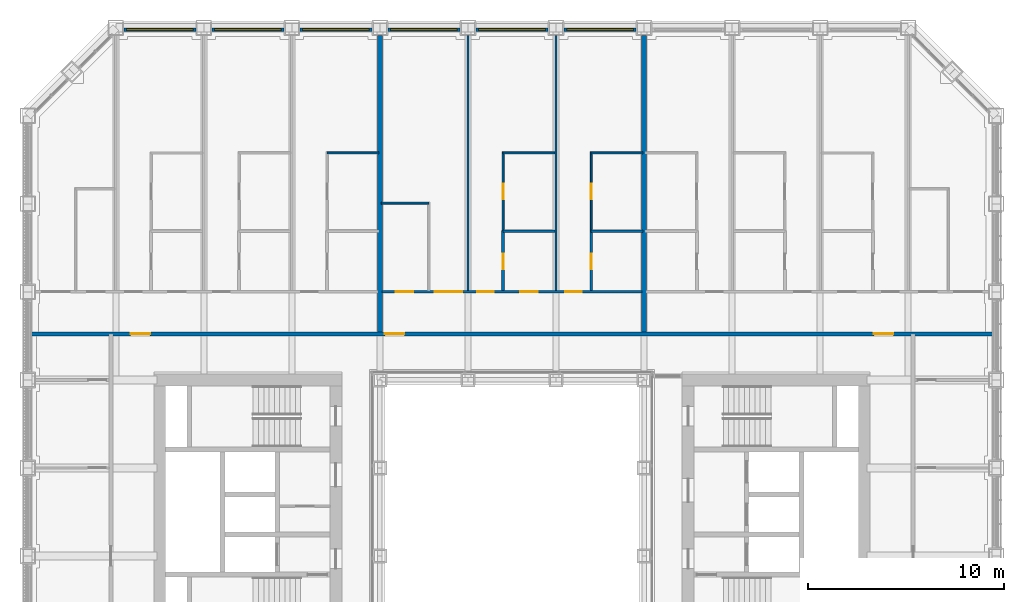
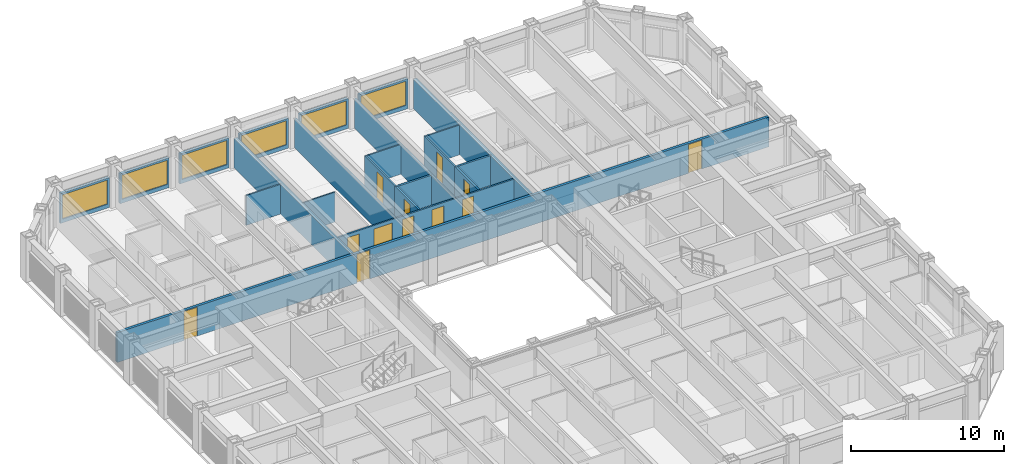
# One storey, part 14 of 21: 22 walls, 12 doors, 6 windows, 18 openings.
"""IFC4 building model written with IfcOpenShell, lengths in metres."""

from ifc_helpers import new_model, si_unit, direction, frame, frame_2d, origin, place, context, subcontext, project, spatial, rectangle, extrude, material, layer, layer_set, type_object, element, fill, save


model = new_model("IFC4")

# Units and contexts
model_context = context("Model", 3, precision=1e-05, world=origin(), true_north=direction((0.0, 1.0)))
body_context = subcontext(model_context, "Body", "Model", "MODEL_VIEW")
ifc_project = project(units=[si_unit("LENGTHUNIT", "METRE"), si_unit("AREAUNIT", "SQUARE_METRE"), si_unit("VOLUMEUNIT", "CUBIC_METRE"), si_unit("PLANEANGLEUNIT", "RADIAN"), si_unit("MASSUNIT", "GRAM", prefix="KILO")], contexts=[model_context])

# Site, building, storey
site_placement = place(None, origin())
site = spatial("IfcSite", under=ifc_project, at=site_placement, CompositionType="ELEMENT")
building_placement = place(site_placement, origin())
building = spatial("IfcBuilding", under=site, at=building_placement, Name="Msasa Ring Tower", CompositionType="ELEMENT")
storey_placement = place(building_placement, frame((0.0, 0.0, 68.5)))
storey = spatial("IfcBuildingStorey", under=building, at=storey_placement, Name="L17", CompositionType="ELEMENT", Elevation=68.5)

# Wall, opening, window
ifc_material_1 = material(Name="Terracotta rainscreen on blockwork", Category="masonry")
ifc_layer_1 = layer(ifc_material_1, 0.199951171875)
ifc_layer_set_1 = layer_set([ifc_layer_1], Name="FW1 TERRACOTTA-LINED INFILL BAY WALL 200")
wall_type_1 = type_object("IfcWallType", Name="FW1 TERRACOTTA-LINED INFILL BAY WALL 200", PredefinedType="SOLIDWALL", material=ifc_layer_set_1)
wall_1_placement = place(storey_placement, frame((-19.844970703125, 24.64990234375, 0.0), z_axis=(0.0, 0.0, 1.0), x_axis=(1.0, 0.0, 0.0)))
wall_1 = element("IfcWall", 1, at=wall_1_placement, inside=storey, type_object=wall_type_1, Name="Infill bay wall N L17 22", PredefinedType="SOLIDWALL", context=body_context, shape_type="SweptSolid", body=[
    extrude(rectangle(XDim=3.68994140625, YDim=0.199951171875, at=frame_2d((1.844970703125, 0.0))), origin(), (0.0, 0.0, 1.0), 2.37890625),
])
opening_1_placement = place(wall_1_placement, frame((0.14501953125, 0.0, 0.300048828125)))
opening_1 = element("IfcOpeningElement", 2, at=opening_1_placement, cuts=wall_1, Name="Opening WN1", PredefinedType="OPENING", context=body_context, shape_type="SweptSolid", body=[
    extrude(rectangle(XDim=3.39990234375, YDim=1.928955078125, at=frame_2d((1.699951171875, 0.96435546875))), frame((0.0, 0.10986328125, 0.0), z_axis=(0.0, -1.0, 0.0), x_axis=(1.0, 0.0, 0.0)), (0.0, 0.0, 1.0), 0.219970703125),
])
ifc_material_2 = material(Name="Aluminium frame with clear glass", Category="aluminium")
window_type = type_object("IfcWindowType", Name="WN1 RESIDENCE WINDOW 3400x1929", PartitioningType="SINGLE_PANEL", PredefinedType="WINDOW", material=ifc_material_2)
window_1_placement = place(opening_1_placement, origin())
window_1 = element("IfcWindow", 3, at=window_1_placement, inside=storey, type_object=window_type, Name="Window N L17 22", OverallHeight=1.928955078125, OverallWidth=3.39990234375, PartitioningType="SINGLE_PANEL", PredefinedType="WINDOW", context=body_context, shape_type="SweptSolid", body=[
    extrude(rectangle(XDim=3.39990234375, YDim=1.928955078125, at=frame_2d((1.699951171875, 0.96435546875))), frame((0.0, 0.030029296875, 0.0), z_axis=(0.0, -1.0, 0.0), x_axis=(1.0, 0.0, 0.0)), (0.0, 0.0, 1.0), 0.06005859375),
])
fill(opening_1, window_1)

wall_2_placement = place(storey_placement, frame((-15.344970703125, 24.64990234375, 0.0), z_axis=(0.0, 0.0, 1.0), x_axis=(1.0, 0.0, 0.0)))
wall_2 = element("IfcWall", 4, at=wall_2_placement, inside=storey, type_object=wall_type_1, Name="Infill bay wall N L17 23", PredefinedType="SOLIDWALL", context=body_context, shape_type="SweptSolid", body=[
    extrude(rectangle(XDim=3.68994140625, YDim=0.199951171875, at=frame_2d((1.844970703125, 0.0))), origin(), (0.0, 0.0, 1.0), 2.37890625),
])
opening_2_placement = place(wall_2_placement, frame((0.14501953125, 0.0, 0.300048828125)))
opening_2 = element("IfcOpeningElement", 5, at=opening_2_placement, cuts=wall_2, Name="Opening WN1", PredefinedType="OPENING", context=body_context, shape_type="SweptSolid", body=[
    extrude(rectangle(XDim=3.39990234375, YDim=1.928955078125, at=frame_2d((1.699951171875, 0.96435546875))), frame((0.0, 0.10986328125, 0.0), z_axis=(0.0, -1.0, 0.0), x_axis=(1.0, 0.0, 0.0)), (0.0, 0.0, 1.0), 0.219970703125),
])
window_2_placement = place(opening_2_placement, origin())
window_2 = element("IfcWindow", 6, at=window_2_placement, inside=storey, type_object=window_type, Name="Window N L17 23", OverallHeight=1.928955078125, OverallWidth=3.39990234375, PartitioningType="SINGLE_PANEL", PredefinedType="WINDOW", context=body_context, shape_type="SweptSolid", body=[
    extrude(rectangle(XDim=3.39990234375, YDim=1.928955078125, at=frame_2d((1.699951171875, 0.96435546875))), frame((0.0, 0.030029296875, 0.0), z_axis=(0.0, -1.0, 0.0), x_axis=(1.0, 0.0, 0.0)), (0.0, 0.0, 1.0), 0.06005859375),
])
fill(opening_2, window_2)

wall_3_placement = place(storey_placement, frame((-10.844970703125, 24.64990234375, 0.0), z_axis=(0.0, 0.0, 1.0), x_axis=(1.0, 0.0, 0.0)))
wall_3 = element("IfcWall", 7, at=wall_3_placement, inside=storey, type_object=wall_type_1, Name="Infill bay wall N L17 24", PredefinedType="SOLIDWALL", context=body_context, shape_type="SweptSolid", body=[
    extrude(rectangle(XDim=3.68994140625, YDim=0.199951171875, at=frame_2d((1.844970703125, 0.0))), origin(), (0.0, 0.0, 1.0), 2.37890625),
])
opening_3_placement = place(wall_3_placement, frame((0.14501953125, 0.0, 0.300048828125)))
opening_3 = element("IfcOpeningElement", 8, at=opening_3_placement, cuts=wall_3, Name="Opening WN1", PredefinedType="OPENING", context=body_context, shape_type="SweptSolid", body=[
    extrude(rectangle(XDim=3.39990234375, YDim=1.928955078125, at=frame_2d((1.699951171875, 0.96435546875))), frame((0.0, 0.10986328125, 0.0), z_axis=(0.0, -1.0, 0.0), x_axis=(1.0, 0.0, 0.0)), (0.0, 0.0, 1.0), 0.219970703125),
])
window_3_placement = place(opening_3_placement, origin())
window_3 = element("IfcWindow", 9, at=window_3_placement, inside=storey, type_object=window_type, Name="Window N L17 24", OverallHeight=1.928955078125, OverallWidth=3.39990234375, PartitioningType="SINGLE_PANEL", PredefinedType="WINDOW", context=body_context, shape_type="SweptSolid", body=[
    extrude(rectangle(XDim=3.39990234375, YDim=1.928955078125, at=frame_2d((1.699951171875, 0.96435546875))), frame((0.0, 0.030029296875, 0.0), z_axis=(0.0, -1.0, 0.0), x_axis=(1.0, 0.0, 0.0)), (0.0, 0.0, 1.0), 0.06005859375),
])
fill(opening_3, window_3)

wall_4_placement = place(storey_placement, frame((-6.344970703125, 24.64990234375, 0.0), z_axis=(0.0, 0.0, 1.0), x_axis=(1.0, 0.0, 0.0)))
wall_4 = element("IfcWall", 10, at=wall_4_placement, inside=storey, type_object=wall_type_1, Name="Infill bay wall N L17 25", PredefinedType="SOLIDWALL", context=body_context, shape_type="SweptSolid", body=[
    extrude(rectangle(XDim=3.68994140625, YDim=0.199951171875, at=frame_2d((1.844970703125, 0.0))), origin(), (0.0, 0.0, 1.0), 2.37890625),
])
opening_4_placement = place(wall_4_placement, frame((0.14501953125, 0.0, 0.300048828125)))
opening_4 = element("IfcOpeningElement", 11, at=opening_4_placement, cuts=wall_4, Name="Opening WN1", PredefinedType="OPENING", context=body_context, shape_type="SweptSolid", body=[
    extrude(rectangle(XDim=3.39990234375, YDim=1.928955078125, at=frame_2d((1.699951171875, 0.96435546875))), frame((0.0, 0.10986328125, 0.0), z_axis=(0.0, -1.0, 0.0), x_axis=(1.0, 0.0, 0.0)), (0.0, 0.0, 1.0), 0.219970703125),
])
window_4_placement = place(opening_4_placement, origin())
window_4 = element("IfcWindow", 12, at=window_4_placement, inside=storey, type_object=window_type, Name="Window N L17 25", OverallHeight=1.928955078125, OverallWidth=3.39990234375, PartitioningType="SINGLE_PANEL", PredefinedType="WINDOW", context=body_context, shape_type="SweptSolid", body=[
    extrude(rectangle(XDim=3.39990234375, YDim=1.928955078125, at=frame_2d((1.699951171875, 0.96435546875))), frame((0.0, 0.030029296875, 0.0), z_axis=(0.0, -1.0, 0.0), x_axis=(1.0, 0.0, 0.0)), (0.0, 0.0, 1.0), 0.06005859375),
])
fill(opening_4, window_4)

wall_5_placement = place(storey_placement, frame((-1.844970703125, 24.64990234375, 0.0), z_axis=(0.0, 0.0, 1.0), x_axis=(1.0, 0.0, 0.0)))
wall_5 = element("IfcWall", 13, at=wall_5_placement, inside=storey, type_object=wall_type_1, Name="Infill bay wall N L17 26", PredefinedType="SOLIDWALL", context=body_context, shape_type="SweptSolid", body=[
    extrude(rectangle(XDim=3.68994140625, YDim=0.199951171875, at=frame_2d((1.844970703125, 0.0))), origin(), (0.0, 0.0, 1.0), 2.37890625),
])
opening_5_placement = place(wall_5_placement, frame((0.14501953125, 0.0, 0.300048828125)))
opening_5 = element("IfcOpeningElement", 14, at=opening_5_placement, cuts=wall_5, Name="Opening WN1", PredefinedType="OPENING", context=body_context, shape_type="SweptSolid", body=[
    extrude(rectangle(XDim=3.39990234375, YDim=1.928955078125, at=frame_2d((1.699951171875, 0.96435546875))), frame((0.0, 0.10986328125, 0.0), z_axis=(0.0, -1.0, 0.0), x_axis=(1.0, 0.0, 0.0)), (0.0, 0.0, 1.0), 0.219970703125),
])
window_5_placement = place(opening_5_placement, origin())
window_5 = element("IfcWindow", 15, at=window_5_placement, inside=storey, type_object=window_type, Name="Window N L17 26", OverallHeight=1.928955078125, OverallWidth=3.39990234375, PartitioningType="SINGLE_PANEL", PredefinedType="WINDOW", context=body_context, shape_type="SweptSolid", body=[
    extrude(rectangle(XDim=3.39990234375, YDim=1.928955078125, at=frame_2d((1.699951171875, 0.96435546875))), frame((0.0, 0.030029296875, 0.0), z_axis=(0.0, -1.0, 0.0), x_axis=(1.0, 0.0, 0.0)), (0.0, 0.0, 1.0), 0.06005859375),
])
fill(opening_5, window_5)

wall_6_placement = place(storey_placement, frame((2.655029296875, 24.64990234375, 0.0), z_axis=(0.0, 0.0, 1.0), x_axis=(1.0, 0.0, 0.0)))
wall_6 = element("IfcWall", 16, at=wall_6_placement, inside=storey, type_object=wall_type_1, Name="Infill bay wall N L17 27", PredefinedType="SOLIDWALL", context=body_context, shape_type="SweptSolid", body=[
    extrude(rectangle(XDim=3.68994140625, YDim=0.199951171875, at=frame_2d((1.844970703125, 0.0))), origin(), (0.0, 0.0, 1.0), 2.37890625),
])
opening_6_placement = place(wall_6_placement, frame((0.14501953125, 0.0, 0.300048828125)))
opening_6 = element("IfcOpeningElement", 17, at=opening_6_placement, cuts=wall_6, Name="Opening WN1", PredefinedType="OPENING", context=body_context, shape_type="SweptSolid", body=[
    extrude(rectangle(XDim=3.39990234375, YDim=1.928955078125, at=frame_2d((1.699951171875, 0.96435546875))), frame((0.0, 0.10986328125, 0.0), z_axis=(0.0, -1.0, 0.0), x_axis=(1.0, 0.0, 0.0)), (0.0, 0.0, 1.0), 0.219970703125),
])
window_6_placement = place(opening_6_placement, origin())
window_6 = element("IfcWindow", 18, at=window_6_placement, inside=storey, type_object=window_type, Name="Window N L17 27", OverallHeight=1.928955078125, OverallWidth=3.39990234375, PartitioningType="SINGLE_PANEL", PredefinedType="WINDOW", context=body_context, shape_type="SweptSolid", body=[
    extrude(rectangle(XDim=3.39990234375, YDim=1.928955078125, at=frame_2d((1.699951171875, 0.96435546875))), frame((0.0, 0.030029296875, 0.0), z_axis=(0.0, -1.0, 0.0), x_axis=(1.0, 0.0, 0.0)), (0.0, 0.0, 1.0), 0.06005859375),
])
fill(opening_6, window_6)

# Wall, openings, doors
ifc_material_3 = material(Name="Concrete blockwork", Category="masonry")
ifc_layer_2 = layer(ifc_material_3, 0.199951171875)
ifc_layer_set_2 = layer_set([ifc_layer_2], Name="PT1 CORRIDOR WALL 200")
wall_type_2 = type_object("IfcWallType", Name="PT1 CORRIDOR WALL 200", PredefinedType="PARTITIONING", material=ifc_layer_set_2)
wall_7_placement = place(storey_placement, frame((-24.550048828125, 9.10009765625, 0.0), z_axis=(0.0, 0.0, 1.0), x_axis=(1.0, 0.0, 0.0)))
wall_7 = element("IfcWall", 19, at=wall_7_placement, inside=storey, type_object=wall_type_2, Name="Corridor wall L17-CORRN0", PredefinedType="PARTITIONING", context=body_context, shape_type="SweptSolid", body=[
    extrude(rectangle(XDim=49.10009765625, YDim=0.199951171875, at=frame_2d((24.550048828125, 0.0))), origin(), (0.0, 0.0, 1.0), 2.373291015625),
])
opening_7_placement = place(wall_7_placement, frame((5.050048828125, 0.0, 0.0)))
opening_7 = element("IfcOpeningElement", 20, at=opening_7_placement, cuts=wall_7, Name="Opening RE-034", PredefinedType="OPENING", context=body_context, shape_type="SweptSolid", body=[
    extrude(rectangle(XDim=1.0, YDim=2.300048828125, at=frame_2d((0.5, 1.14990234375))), frame((0.0, 0.10986328125, 0.0), z_axis=(0.0, -1.0, 0.0), x_axis=(1.0, 0.0, 0.0)), (0.0, 0.0, 1.0), 0.219970703125),
])
opening_8_placement = place(wall_7_placement, frame((18.050048828125, 0.0, 0.0)))
opening_8 = element("IfcOpeningElement", 21, at=opening_8_placement, cuts=wall_7, Name="Opening RE-035", PredefinedType="OPENING", context=body_context, shape_type="SweptSolid", body=[
    extrude(rectangle(XDim=1.0, YDim=2.300048828125, at=frame_2d((0.5, 1.14990234375))), frame((0.0, 0.10986328125, 0.0), z_axis=(0.0, -1.0, 0.0), x_axis=(1.0, 0.0, 0.0)), (0.0, 0.0, 1.0), 0.219970703125),
])
opening_9_placement = place(wall_7_placement, frame((43.050048828125, 0.0, 0.0)))
opening_9 = element("IfcOpeningElement", 22, at=opening_9_placement, cuts=wall_7, Name="Opening RE-036", PredefinedType="OPENING", context=body_context, shape_type="SweptSolid", body=[
    extrude(rectangle(XDim=1.0, YDim=2.300048828125, at=frame_2d((0.5, 1.14990234375))), frame((0.0, 0.10986328125, 0.0), z_axis=(0.0, -1.0, 0.0), x_axis=(1.0, 0.0, 0.0)), (0.0, 0.0, 1.0), 0.219970703125),
])
ifc_material_4 = material(Name="Timber door leaf in a steel frame", Category="steel")
door_type_1 = type_object("IfcDoorType", Name="D16 UPPER RESIDENCE ENTRANCE DOOR 1000x2300", OperationType="SINGLE_SWING_LEFT", PredefinedType="DOOR", material=ifc_material_4)
door_1_placement = place(opening_7_placement, origin())
door_1 = element("IfcDoor", 23, at=door_1_placement, inside=storey, type_object=door_type_1, Name="Door L17-UN00", OperationType="SINGLE_SWING_LEFT", OverallHeight=2.300048828125, OverallWidth=1.0, PredefinedType="DOOR", context=body_context, shape_type="SweptSolid", body=[
    extrude(rectangle(XDim=1.0, YDim=2.300048828125, at=frame_2d((0.5, 1.14990234375))), frame((0.0, 0.02490234375, 0.0), z_axis=(0.0, -1.0, 0.0), x_axis=(1.0, 0.0, 0.0)), (0.0, 0.0, 1.0), 0.050048828125),
])
fill(opening_7, door_1)
door_2_placement = place(opening_8_placement, origin())
door_2 = element("IfcDoor", 24, at=door_2_placement, inside=storey, type_object=door_type_1, Name="Door L17-UN01", OperationType="SINGLE_SWING_LEFT", OverallHeight=2.300048828125, OverallWidth=1.0, PredefinedType="DOOR", context=body_context, shape_type="SweptSolid", body=[
    extrude(rectangle(XDim=1.0, YDim=2.300048828125, at=frame_2d((0.5, 1.14990234375))), frame((0.0, 0.02490234375, 0.0), z_axis=(0.0, -1.0, 0.0), x_axis=(1.0, 0.0, 0.0)), (0.0, 0.0, 1.0), 0.050048828125),
])
fill(opening_8, door_2)
door_3_placement = place(opening_9_placement, origin())
door_3 = element("IfcDoor", 25, at=door_3_placement, inside=storey, type_object=door_type_1, Name="Door L17-UN02", OperationType="SINGLE_SWING_RIGHT", OverallHeight=2.300048828125, OverallWidth=1.0, PredefinedType="DOOR", context=body_context, shape_type="SweptSolid", body=[
    extrude(rectangle(XDim=1.0, YDim=2.300048828125, at=frame_2d((0.5, 1.14990234375))), frame((0.0, 0.02490234375, 0.0), z_axis=(0.0, -1.0, 0.0), x_axis=(1.0, 0.0, 0.0)), (0.0, 0.0, 1.0), 0.050048828125),
])
fill(opening_9, door_3)

# Walls
ifc_material_5 = material(Name="Gypsum board on steel studs", Category="steel")
ifc_layer_3 = layer(ifc_material_5, 0.10009765625)
ifc_layer_set_3 = layer_set([ifc_layer_3], Name="PT2 STUD PARTITION 100")
wall_type_3 = type_object("IfcWallType", Name="PT2 STUD PARTITION 100", PredefinedType="PARTITIONING", material=ifc_layer_set_3)
wall_8_placement = place(storey_placement, frame((-9.449951171875, 18.35302734375, 0.0), z_axis=(0.0, 0.0, 1.0), x_axis=(1.0, 0.0, 0.0)))
element("IfcWall", 26, at=wall_8_placement, inside=storey, type_object=wall_type_3, Name="Partition L17-UN00WY3", PredefinedType="PARTITIONING", context=body_context, shape_type="SweptSolid", body=[
    extrude(rectangle(XDim=2.639892578125, YDim=0.10009765625, at=frame_2d((1.31982421875, 0.0))), origin(), (0.0, 0.0, 1.0), 2.373291015625),
])
wall_9_placement = place(storey_placement, frame((-6.6826171875, 15.79248046875, 0.0), z_axis=(0.0, 0.0, 1.0), x_axis=(1.0, 0.0, 0.0)))
element("IfcWall", 27, at=wall_9_placement, inside=storey, type_object=wall_type_3, Name="Partition L17-UN01KY", PredefinedType="PARTITIONING", context=body_context, shape_type="SweptSolid", body=[
    extrude(rectangle(XDim=2.4326171875, YDim=0.10009765625, at=frame_2d((1.21630859375, 0.0))), origin(), (0.0, 0.0, 1.0), 2.373291015625),
])

# Wall, opening, door
wall_10_placement = place(storey_placement, frame((-0.449951171875, 14.39990234375, 0.0), z_axis=(0.0, 0.0, 1.0), x_axis=(0.0, 1.0, 0.0)))
wall_10 = element("IfcWall", 28, at=wall_10_placement, inside=storey, type_object=wall_type_3, Name="Partition L17-UN01WX1", PredefinedType="PARTITIONING", context=body_context, shape_type="SweptSolid", body=[
    extrude(rectangle(XDim=4.003173828125, YDim=0.10009765625, at=frame_2d((2.00146484375, 0.0))), origin(), (0.0, 0.0, 1.0), 2.373291015625),
])
opening_10_placement = place(wall_10_placement, frame((1.576416015625, 0.0, 0.0)))
opening_10 = element("IfcOpeningElement", 29, at=opening_10_placement, cuts=wall_10, Name="Opening RE-004", PredefinedType="OPENING", context=body_context, shape_type="SweptSolid", body=[
    extrude(rectangle(XDim=0.800048828125, YDim=2.10009765625, at=frame_2d((0.39990234375, 1.050048828125))), frame((0.0, 0.06005859375, 0.0), z_axis=(0.0, -1.0, 0.0), x_axis=(1.0, 0.0, 0.0)), (0.0, 0.0, 1.0), 0.1201171875),
])
ifc_material_6 = material(Name="Timber door leaf in a steel frame", Category="steel")
door_type_2 = type_object("IfcDoorType", Name="D60 DRESSING ROOM DOOR 800x2100", OperationType="SINGLE_SWING_LEFT", PredefinedType="DOOR", material=ifc_material_6)
door_4_placement = place(opening_10_placement, origin())
door_4 = element("IfcDoor", 30, at=door_4_placement, inside=storey, type_object=door_type_2, Name="Door L17-UN01W1", OperationType="SINGLE_SWING_LEFT", OverallHeight=2.10009765625, OverallWidth=0.800048828125, PredefinedType="DOOR", context=body_context, shape_type="SweptSolid", body=[
    extrude(rectangle(XDim=0.800048828125, YDim=2.10009765625, at=frame_2d((0.39990234375, 1.050048828125))), frame((0.0, 0.02490234375, 0.0), z_axis=(0.0, -1.0, 0.0), x_axis=(1.0, 0.0, 0.0)), (0.0, 0.0, 1.0), 0.050048828125),
])
fill(opening_10, door_4)

# Wall
wall_11_placement = place(storey_placement, frame((-0.449951171875, 18.35302734375, 0.0), z_axis=(0.0, 0.0, 1.0), x_axis=(1.0, 0.0, 0.0)))
element("IfcWall", 31, at=wall_11_placement, inside=storey, type_object=wall_type_3, Name="Partition L17-UN01WY1", PredefinedType="PARTITIONING", context=body_context, shape_type="SweptSolid", body=[
    extrude(rectangle(XDim=2.639892578125, YDim=0.10009765625, at=frame_2d((1.31982421875, 0.0))), origin(), (0.0, 0.0, 1.0), 2.373291015625),
])

# Wall, opening, door
wall_12_placement = place(storey_placement, frame((4.050048828125, 14.39990234375, 0.0), z_axis=(0.0, 0.0, 1.0), x_axis=(0.0, 1.0, 0.0)))
wall_12 = element("IfcWall", 32, at=wall_12_placement, inside=storey, type_object=wall_type_3, Name="Partition L17-UN01WX2", PredefinedType="PARTITIONING", context=body_context, shape_type="SweptSolid", body=[
    extrude(rectangle(XDim=4.003173828125, YDim=0.10009765625, at=frame_2d((2.00146484375, 0.0))), origin(), (0.0, 0.0, 1.0), 2.373291015625),
])
opening_11_placement = place(wall_12_placement, frame((1.576416015625, 0.0, 0.0)))
opening_11 = element("IfcOpeningElement", 33, at=opening_11_placement, cuts=wall_12, Name="Opening RE-005", PredefinedType="OPENING", context=body_context, shape_type="SweptSolid", body=[
    extrude(rectangle(XDim=0.800048828125, YDim=2.10009765625, at=frame_2d((0.39990234375, 1.050048828125))), frame((0.0, 0.06005859375, 0.0), z_axis=(0.0, -1.0, 0.0), x_axis=(1.0, 0.0, 0.0)), (0.0, 0.0, 1.0), 0.1201171875),
])
door_5_placement = place(opening_11_placement, origin())
door_5 = element("IfcDoor", 34, at=door_5_placement, inside=storey, type_object=door_type_2, Name="Door L17-UN01W2", OperationType="SINGLE_SWING_LEFT", OverallHeight=2.10009765625, OverallWidth=0.800048828125, PredefinedType="DOOR", context=body_context, shape_type="SweptSolid", body=[
    extrude(rectangle(XDim=0.800048828125, YDim=2.10009765625, at=frame_2d((0.39990234375, 1.050048828125))), frame((0.0, 0.02490234375, 0.0), z_axis=(0.0, -1.0, 0.0), x_axis=(1.0, 0.0, 0.0)), (0.0, 0.0, 1.0), 0.050048828125),
])
fill(opening_11, door_5)

# Walls
wall_13_placement = place(storey_placement, frame((4.050048828125, 18.35302734375, 0.0), z_axis=(0.0, 0.0, 1.0), x_axis=(1.0, 0.0, 0.0)))
element("IfcWall", 35, at=wall_13_placement, inside=storey, type_object=wall_type_3, Name="Partition L17-UN01WY2", PredefinedType="PARTITIONING", context=body_context, shape_type="SweptSolid", body=[
    extrude(rectangle(XDim=2.639892578125, YDim=0.10009765625, at=frame_2d((1.31982421875, 0.0))), origin(), (0.0, 0.0, 1.0), 2.373291015625),
])
ifc_material_7 = material(Name="Dense concrete blockwork, plastered both faces", Category="masonry")
ifc_layer_4 = layer(ifc_material_7, 0.25)
ifc_layer_set_4 = layer_set([ifc_layer_4], Name="PT3 APARTMENT SEPARATING WALL 250")
wall_type_4 = type_object("IfcWallType", Name="PT3 APARTMENT SEPARATING WALL 250", PredefinedType="PARTITIONING", material=ifc_layer_set_4)
for number, where, z_axis, x_axis, name in (
    (36, (-6.75, 9.199951171875, 0.0), (0.0, 0.0, 1.0), (0.0, 1.0, 0.0), "Party wall L17-PWN-6.75"),
    (37, (6.75, 9.199951171875, 0.0), (0.0, 0.0, 1.0), (0.0, 1.0, 0.0), "Party wall L17-PWN+6.75"),
):
    element("IfcWall", number, at=place(storey_placement, frame(where, z_axis=z_axis, x_axis=x_axis)), inside=storey, type_object=wall_type_4, Name=name, PredefinedType="PARTITIONING", context=body_context, shape_type="SweptSolid", body=[
        extrude(rectangle(XDim=15.150146484375, YDim=0.25, at=frame_2d((7.5751953125, 0.0))), origin(), (0.0, 0.0, 1.0), 2.373291015625),
    ])

# Wall, opening, door
ifc_material_8 = material(Name="Moisture-resistant board on steel studs with a concealed cistern and pipe void, tiled", Category="steel")
ifc_layer_5 = layer(ifc_material_8, 0.14990234375)
ifc_layer_set_5 = layer_set([ifc_layer_5], Name="PT4 BATHROOM WET WALL 150")
wall_type_5 = type_object("IfcWallType", Name="PT4 BATHROOM WET WALL 150", PredefinedType="PARTITIONING", material=ifc_layer_set_5)
wall_14_placement = place(storey_placement, frame((-0.449951171875, 11.3125, 0.0), z_axis=(0.0, 0.0, 1.0), x_axis=(0.0, 1.0, 0.0)))
wall_14 = element("IfcWall", 38, at=wall_14_placement, inside=storey, type_object=wall_type_5, Name="Partition L17-UN01BX1", PredefinedType="PARTITIONING", context=body_context, shape_type="SweptSolid", body=[
    extrude(rectangle(XDim=3.08740234375, YDim=0.14990234375, at=frame_2d((1.543701171875, 0.0))), origin(), (0.0, 0.0, 1.0), 2.373291015625),
])
opening_12_placement = place(wall_14_placement, frame((1.08740234375, 0.0, 0.0)))
opening_12 = element("IfcOpeningElement", 39, at=opening_12_placement, cuts=wall_14, Name="Opening RE-012", PredefinedType="OPENING", context=body_context, shape_type="SweptSolid", body=[
    extrude(rectangle(XDim=0.800048828125, YDim=2.10009765625, at=frame_2d((0.39990234375, 1.050048828125))), frame((0.0, 0.0849609375, 0.0), z_axis=(0.0, -1.0, 0.0), x_axis=(1.0, 0.0, 0.0)), (0.0, 0.0, 1.0), 0.169921875),
])
ifc_material_9 = material(Name="Timber door leaf in a steel frame", Category="steel")
door_type_3 = type_object("IfcDoorType", Name="D21 POCKET SLIDING BATHROOM DOOR 800x2100", OperationType="SINGLE_SWING_LEFT", PredefinedType="DOOR", material=ifc_material_9)
door_6_placement = place(opening_12_placement, origin())
door_6 = element("IfcDoor", 40, at=door_6_placement, inside=storey, type_object=door_type_3, Name="Door L17-UN01B1", OperationType="SINGLE_SWING_LEFT", OverallHeight=2.10009765625, OverallWidth=0.800048828125, PredefinedType="DOOR", context=body_context, shape_type="SweptSolid", body=[
    extrude(rectangle(XDim=0.800048828125, YDim=2.10009765625, at=frame_2d((0.39990234375, 1.050048828125))), frame((0.0, 0.02490234375, 0.0), z_axis=(0.0, -1.0, 0.0), x_axis=(1.0, 0.0, 0.0)), (0.0, 0.0, 1.0), 0.050048828125),
])
fill(opening_12, door_6)

# Wall
wall_15_placement = place(storey_placement, frame((-0.449951171875, 14.35009765625, 0.0), z_axis=(0.0, 0.0, 1.0), x_axis=(1.0, 0.0, 0.0)))
element("IfcWall", 41, at=wall_15_placement, inside=storey, type_object=wall_type_5, Name="Partition L17-UN01BY1", PredefinedType="PARTITIONING", context=body_context, shape_type="SweptSolid", body=[
    extrude(rectangle(XDim=2.639892578125, YDim=0.14990234375, at=frame_2d((1.31982421875, 0.0))), origin(), (0.0, 0.0, 1.0), 2.373291015625),
])

# Wall, opening, door
wall_16_placement = place(storey_placement, frame((4.050048828125, 11.3125, 0.0), z_axis=(0.0, 0.0, 1.0), x_axis=(0.0, 1.0, 0.0)))
wall_16 = element("IfcWall", 42, at=wall_16_placement, inside=storey, type_object=wall_type_5, Name="Partition L17-UN01BX2", PredefinedType="PARTITIONING", context=body_context, shape_type="SweptSolid", body=[
    extrude(rectangle(XDim=3.08740234375, YDim=0.14990234375, at=frame_2d((1.543701171875, 0.0))), origin(), (0.0, 0.0, 1.0), 2.373291015625),
])
opening_13_placement = place(wall_16_placement, frame((1.08740234375, 0.0, 0.0)))
opening_13 = element("IfcOpeningElement", 43, at=opening_13_placement, cuts=wall_16, Name="Opening RE-013", PredefinedType="OPENING", context=body_context, shape_type="SweptSolid", body=[
    extrude(rectangle(XDim=0.800048828125, YDim=2.10009765625, at=frame_2d((0.39990234375, 1.050048828125))), frame((0.0, 0.0849609375, 0.0), z_axis=(0.0, -1.0, 0.0), x_axis=(1.0, 0.0, 0.0)), (0.0, 0.0, 1.0), 0.169921875),
])
door_7_placement = place(opening_13_placement, origin())
door_7 = element("IfcDoor", 44, at=door_7_placement, inside=storey, type_object=door_type_3, Name="Door L17-UN01B2", OperationType="SINGLE_SWING_LEFT", OverallHeight=2.10009765625, OverallWidth=0.800048828125, PredefinedType="DOOR", context=body_context, shape_type="SweptSolid", body=[
    extrude(rectangle(XDim=0.800048828125, YDim=2.10009765625, at=frame_2d((0.39990234375, 1.050048828125))), frame((0.0, 0.02490234375, 0.0), z_axis=(0.0, -1.0, 0.0), x_axis=(1.0, 0.0, 0.0)), (0.0, 0.0, 1.0), 0.050048828125),
])
fill(opening_13, door_7)

# Wall
wall_17_placement = place(storey_placement, frame((4.050048828125, 14.35009765625, 0.0), z_axis=(0.0, 0.0, 1.0), x_axis=(1.0, 0.0, 0.0)))
element("IfcWall", 45, at=wall_17_placement, inside=storey, type_object=wall_type_5, Name="Partition L17-UN01BY2", PredefinedType="PARTITIONING", context=body_context, shape_type="SweptSolid", body=[
    extrude(rectangle(XDim=2.639892578125, YDim=0.14990234375, at=frame_2d((1.31982421875, 0.0))), origin(), (0.0, 0.0, 1.0), 2.373291015625),
])

# Wall, openings, doors
ifc_material_10 = material(Name="Two layers of acoustic board each face on steel studs, mineral wool", Category="steel")
ifc_layer_6 = layer(ifc_material_10, 0.125)
ifc_layer_set_6 = layer_set([ifc_layer_6], Name="PT6 ACOUSTIC DOUBLE-BOARD PARTITION 125")
wall_type_6 = type_object("IfcWallType", Name="PT6 ACOUSTIC DOUBLE-BOARD PARTITION 125", PredefinedType="PARTITIONING", material=ifc_layer_set_6)
wall_18_placement = place(storey_placement, frame((-6.64990234375, 11.25, 0.0), z_axis=(0.0, 0.0, 1.0), x_axis=(1.0, 0.0, 0.0)))
wall_18 = element("IfcWall", 46, at=wall_18_placement, inside=storey, type_object=wall_type_6, Name="Partition L17-UN01HY", PredefinedType="PARTITIONING", context=body_context, shape_type="SweptSolid", body=[
    extrude(rectangle(XDim=13.2998046875, YDim=0.125, at=frame_2d((6.64990234375, 0.0))), origin(), (0.0, 0.0, 1.0), 2.373291015625),
])
opening_14_placement = place(wall_18_placement, frame((0.699951171875, 0.0, 0.0)))
opening_14 = element("IfcOpeningElement", 47, at=opening_14_placement, cuts=wall_18, Name="Opening RE-023", PredefinedType="OPENING", context=body_context, shape_type="SweptSolid", body=[
    extrude(rectangle(XDim=0.89990234375, YDim=2.10009765625, at=frame_2d((0.449951171875, 1.050048828125))), frame((0.0, 0.072509765625, 0.0), z_axis=(0.0, -1.0, 0.0), x_axis=(1.0, 0.0, 0.0)), (0.0, 0.0, 1.0), 0.14501953125),
])
opening_15_placement = place(wall_18_placement, frame((2.699951171875, 0.0, 0.0)))
opening_15 = element("IfcOpeningElement", 48, at=opening_15_placement, cuts=wall_18, Name="Opening RE-024", PredefinedType="OPENING", context=body_context, shape_type="SweptSolid", body=[
    extrude(rectangle(XDim=1.39990234375, YDim=2.10009765625, at=frame_2d((0.699951171875, 1.050048828125))), frame((0.0, 0.072509765625, 0.0), z_axis=(0.0, -1.0, 0.0), x_axis=(1.0, 0.0, 0.0)), (0.0, 0.0, 1.0), 0.14501953125),
])
opening_16_placement = place(wall_18_placement, frame((4.875, 0.0, 0.0)))
opening_16 = element("IfcOpeningElement", 49, at=opening_16_placement, cuts=wall_18, Name="Opening RE-025", PredefinedType="OPENING", context=body_context, shape_type="SweptSolid", body=[
    extrude(rectangle(XDim=0.85009765625, YDim=2.10009765625, at=frame_2d((0.425048828125, 1.050048828125))), frame((0.0, 0.072509765625, 0.0), z_axis=(0.0, -1.0, 0.0), x_axis=(1.0, 0.0, 0.0)), (0.0, 0.0, 1.0), 0.14501953125),
])
opening_17_placement = place(wall_18_placement, frame((7.070068359375, 0.0, 0.0)))
opening_17 = element("IfcOpeningElement", 50, at=opening_17_placement, cuts=wall_18, Name="Opening RE-026", PredefinedType="OPENING", context=body_context, shape_type="SweptSolid", body=[
    extrude(rectangle(XDim=0.89990234375, YDim=2.10009765625, at=frame_2d((0.449951171875, 1.050048828125))), frame((0.0, 0.072509765625, 0.0), z_axis=(0.0, -1.0, 0.0), x_axis=(1.0, 0.0, 0.0)), (0.0, 0.0, 1.0), 0.14501953125),
])
opening_18_placement = place(wall_18_placement, frame((9.375, 0.0, 0.0)))
opening_18 = element("IfcOpeningElement", 51, at=opening_18_placement, cuts=wall_18, Name="Opening RE-027", PredefinedType="OPENING", context=body_context, shape_type="SweptSolid", body=[
    extrude(rectangle(XDim=0.85009765625, YDim=2.10009765625, at=frame_2d((0.425048828125, 1.050048828125))), frame((0.0, 0.072509765625, 0.0), z_axis=(0.0, -1.0, 0.0), x_axis=(1.0, 0.0, 0.0)), (0.0, 0.0, 1.0), 0.14501953125),
])
ifc_material_11 = material(Name="Timber door leaf in a steel frame", Category="steel")
door_type_4 = type_object("IfcDoorType", Name="D14 BEDROOM DOOR 850x2100", OperationType="SINGLE_SWING_LEFT", PredefinedType="DOOR", material=ifc_material_11)
door_8_placement = place(opening_16_placement, origin())
door_8 = element("IfcDoor", 52, at=door_8_placement, inside=storey, type_object=door_type_4, Name="Door L17-UN01R1", OperationType="SINGLE_SWING_LEFT", OverallHeight=2.10009765625, OverallWidth=0.85009765625, PredefinedType="DOOR", context=body_context, shape_type="SweptSolid", body=[
    extrude(rectangle(XDim=0.85009765625, YDim=2.10009765625, at=frame_2d((0.425048828125, 1.050048828125))), frame((0.0, 0.02490234375, 0.0), z_axis=(0.0, -1.0, 0.0), x_axis=(1.0, 0.0, 0.0)), (0.0, 0.0, 1.0), 0.050048828125),
])
fill(opening_16, door_8)
door_9_placement = place(opening_18_placement, origin())
door_9 = element("IfcDoor", 53, at=door_9_placement, inside=storey, type_object=door_type_4, Name="Door L17-UN01R2", OperationType="SINGLE_SWING_RIGHT", OverallHeight=2.10009765625, OverallWidth=0.85009765625, PredefinedType="DOOR", context=body_context, shape_type="SweptSolid", body=[
    extrude(rectangle(XDim=0.85009765625, YDim=2.10009765625, at=frame_2d((0.425048828125, 1.050048828125))), frame((0.0, 0.02490234375, 0.0), z_axis=(0.0, -1.0, 0.0), x_axis=(1.0, 0.0, 0.0)), (0.0, 0.0, 1.0), 0.050048828125),
])
fill(opening_18, door_9)
ifc_material_12 = material(Name="Timber door leaf in a steel frame", Category="steel")
door_type_5 = type_object("IfcDoorType", Name="D15 LIVING ROOM PAIR OF GLAZED DOORS 1400x2100", OperationType="SINGLE_SWING_LEFT", PredefinedType="DOOR", material=ifc_material_12)
door_10_placement = place(opening_15_placement, origin())
door_10 = element("IfcDoor", 54, at=door_10_placement, inside=storey, type_object=door_type_5, Name="Door L17-UN01L", OperationType="SINGLE_SWING_LEFT", OverallHeight=2.10009765625, OverallWidth=1.39990234375, PredefinedType="DOOR", context=body_context, shape_type="SweptSolid", body=[
    extrude(rectangle(XDim=1.39990234375, YDim=2.10009765625, at=frame_2d((0.699951171875, 1.050048828125))), frame((0.0, 0.02490234375, 0.0), z_axis=(0.0, -1.0, 0.0), x_axis=(1.0, 0.0, 0.0)), (0.0, 0.0, 1.0), 0.050048828125),
])
fill(opening_15, door_10)
ifc_material_13 = material(Name="Timber door leaf in a steel frame", Category="steel")
door_type_6 = type_object("IfcDoorType", Name="D22 INTERNAL HALL DOOR 900x2100", OperationType="SINGLE_SWING_LEFT", PredefinedType="DOOR", material=ifc_material_13)
door_11_placement = place(opening_14_placement, origin())
door_11 = element("IfcDoor", 55, at=door_11_placement, inside=storey, type_object=door_type_6, Name="Door L17-UN01K", OperationType="SINGLE_SWING_LEFT", OverallHeight=2.10009765625, OverallWidth=0.89990234375, PredefinedType="DOOR", context=body_context, shape_type="SweptSolid", body=[
    extrude(rectangle(XDim=0.89990234375, YDim=2.10009765625, at=frame_2d((0.449951171875, 1.050048828125))), frame((0.0, 0.02490234375, 0.0), z_axis=(0.0, -1.0, 0.0), x_axis=(1.0, 0.0, 0.0)), (0.0, 0.0, 1.0), 0.050048828125),
])
fill(opening_14, door_11)
ifc_material_14 = material(Name="Timber door leaf in a steel frame", Category="steel")
door_type_7 = type_object("IfcDoorType", Name="D3 BATHROOM DOOR 900x2100", OperationType="SINGLE_SWING_LEFT", PredefinedType="DOOR", material=ifc_material_14)
door_12_placement = place(opening_17_placement, origin())
door_12 = element("IfcDoor", 56, at=door_12_placement, inside=storey, type_object=door_type_7, Name="Door L17-UN01BH1", OperationType="SINGLE_SWING_RIGHT", OverallHeight=2.10009765625, OverallWidth=0.89990234375, PredefinedType="DOOR", context=body_context, shape_type="SweptSolid", body=[
    extrude(rectangle(XDim=0.89990234375, YDim=2.10009765625, at=frame_2d((0.449951171875, 1.050048828125))), frame((0.0, 0.02490234375, 0.0), z_axis=(0.0, -1.0, 0.0), x_axis=(1.0, 0.0, 0.0)), (0.0, 0.0, 1.0), 0.050048828125),
])
fill(opening_17, door_12)

# Walls
for number, where, z_axis, x_axis, name in (
    (57, (-2.25, 11.3125, 0.0), (0.0, 0.0, 1.0), (0.0, 1.0, 0.0), "Partition L17-UN01P1"),
    (58, (2.25, 11.3125, 0.0), (0.0, 0.0, 1.0), (0.0, 1.0, 0.0), "Partition L17-UN01P2"),
):
    element("IfcWall", number, at=place(storey_placement, frame(where, z_axis=z_axis, x_axis=x_axis)), inside=storey, type_object=wall_type_6, Name=name, PredefinedType="PARTITIONING", context=body_context, shape_type="SweptSolid", body=[
        extrude(rectangle(XDim=13.03759765625, YDim=0.125, at=frame_2d((6.518798828125, 0.0))), origin(), (0.0, 0.0, 1.0), 2.373291015625),
    ])

save(model, "model.ifc")
